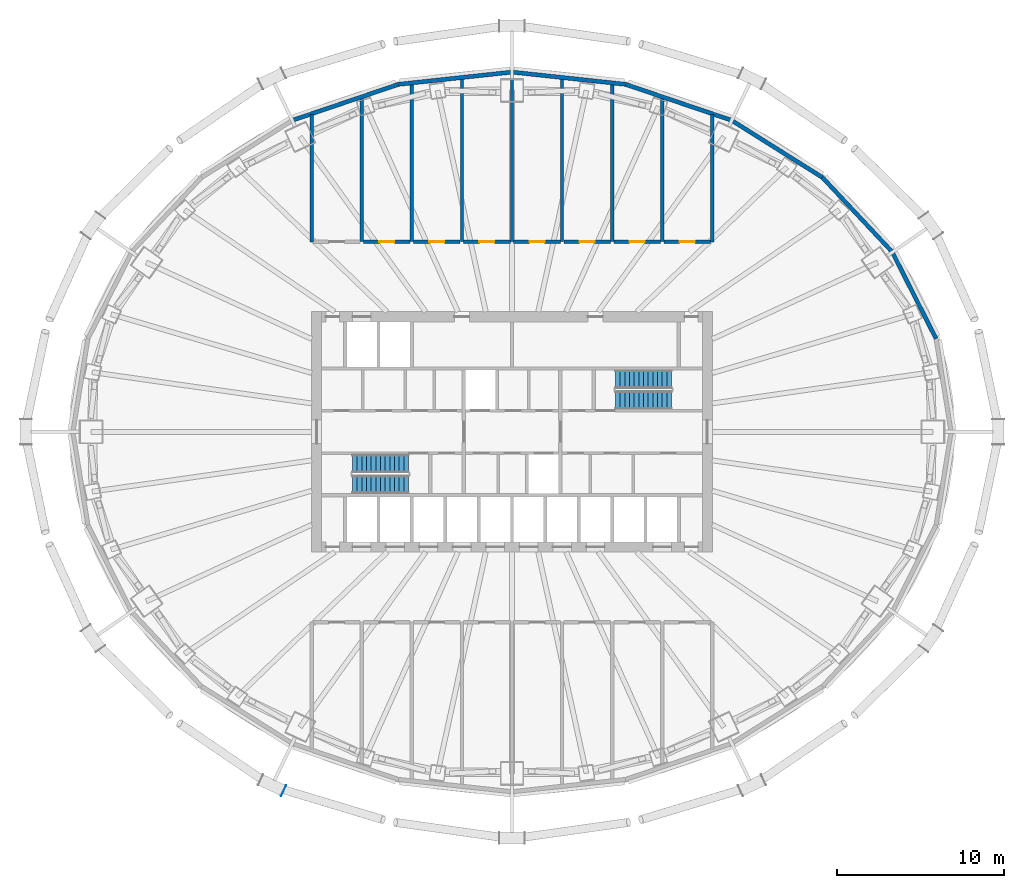
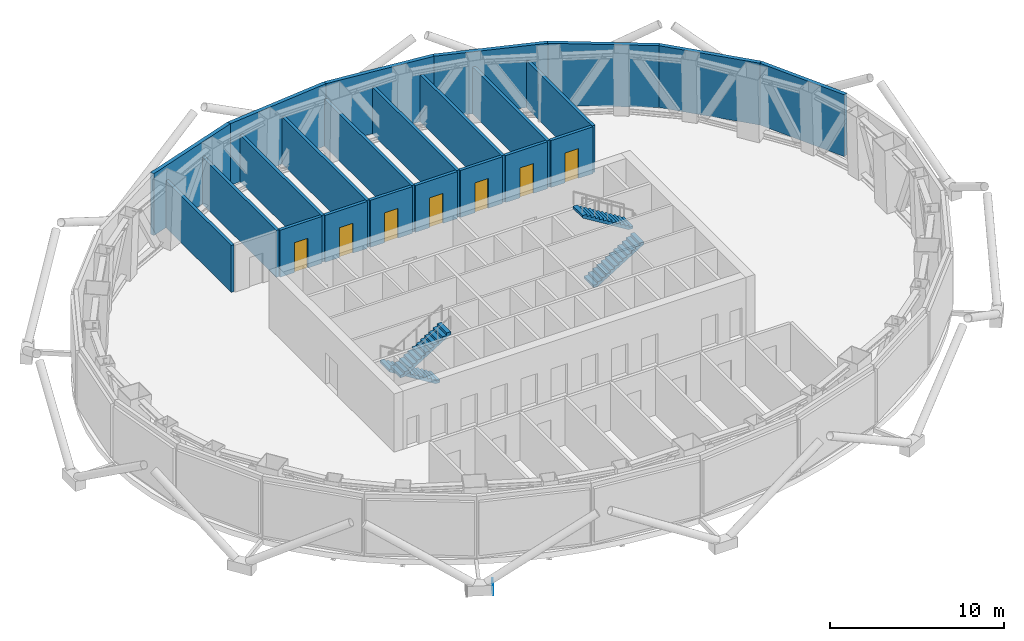
# One storey, part 8 of 18: 23 walls, 7 doors, 4 stair flights, 1 discrete accessory, 7 openings, 2 elements without a shape of their own.
"""IFC4 building model written with IfcOpenShell, lengths in metres."""

from ifc_helpers import new_model, si_unit, direction, frame, frame_2d, origin, origin_2d, place, context, subcontext, project, spatial, polyline, rectangle, outline, extrude, material, layer, layer_set, type_object, element, fill, aggregate, save


model = new_model("IFC4")

# Units and contexts
model_context = context("Model", 3, precision=1e-05, world=origin(), true_north=direction((0.0, 1.0)))
body_context = subcontext(model_context, "Body", "Model", "MODEL_VIEW")
ifc_project = project(units=[si_unit("LENGTHUNIT", "METRE"), si_unit("AREAUNIT", "SQUARE_METRE"), si_unit("VOLUMEUNIT", "CUBIC_METRE"), si_unit("PLANEANGLEUNIT", "RADIAN"), si_unit("MASSUNIT", "GRAM", prefix="KILO")], contexts=[model_context])

# Site, building, storey
site_placement = place(None, origin())
site = spatial("IfcSite", under=ifc_project, at=site_placement, CompositionType="ELEMENT")
building_placement = place(site_placement, origin())
building = spatial("IfcBuilding", under=site, at=building_placement, Name="Siaravel Broadcast Tower", CompositionType="ELEMENT")
storey_placement = place(building_placement, frame((0.0, 0.0, 92.60009765625)))
storey = spatial("IfcBuildingStorey", under=building, at=storey_placement, Name="L21", CompositionType="ELEMENT", Elevation=92.60009765625)

# Walls
ifc_material_1 = material(Name="Concrete blockwork", Category="masonry")
ifc_layer_1 = layer(ifc_material_1, 0.199951171875)
ifc_layer_set_1 = layer_set([ifc_layer_1], Name="Concrete blockwork")
wall_type_1 = type_object("IfcWallType", Name="Plant room wall 200", PredefinedType="PARTITIONING", material=ifc_layer_set_1)
wall_1_placement = place(storey_placement, frame((0.0, 11.39990234375, 0.0), z_axis=(0.0, 0.0, 1.0), x_axis=(0.0, 1.0, 0.0)))
element("IfcWall", 1, at=wall_1_placement, inside=storey, type_object=wall_type_1, Name="L21 partition 2", PredefinedType="PARTITIONING", context=body_context, shape_type="SweptSolid", body=[
    extrude(rectangle(XDim=10.109619140625, YDim=0.199951171875, at=frame_2d((5.0546875, 0.0))), origin(), (0.0, 0.0, 1.0), 3.2998046875),
])
for number, where, z_axis, x_axis, name in (
    (2, (-3.0, 11.39990234375, 0.0), (0.0, 0.0, 1.0), (0.0, 1.0, 0.0), "L21 partition 4"),
    (3, (3.0, 11.39990234375, 0.0), (0.0, 0.0, 1.0), (0.0, 1.0, 0.0), "L21 partition 6"),
):
    element("IfcWall", number, at=place(storey_placement, frame(where, z_axis=z_axis, x_axis=x_axis)), inside=storey, type_object=wall_type_1, Name=name, PredefinedType="PARTITIONING", context=body_context, shape_type="SweptSolid", body=[
        extrude(rectangle(XDim=9.785888671875, YDim=0.199951171875, at=frame_2d((4.89306640625, 0.0))), origin(), (0.0, 0.0, 1.0), 3.2998046875),
    ])
for number, where, z_axis, x_axis, name in (
    (4, (-6.0, 11.39990234375, 0.0), (0.0, 0.0, 1.0), (0.0, 1.0, 0.0), "L21 partition 8"),
    (5, (6.0, 11.39990234375, 0.0), (0.0, 0.0, 1.0), (0.0, 1.0, 0.0), "L21 partition 10"),
):
    element("IfcWall", number, at=place(storey_placement, frame(where, z_axis=z_axis, x_axis=x_axis)), inside=storey, type_object=wall_type_1, Name=name, PredefinedType="PARTITIONING", context=body_context, shape_type="SweptSolid", body=[
        extrude(rectangle(XDim=9.46240234375, YDim=0.199951171875, at=frame_2d((4.731201171875, 0.0))), origin(), (0.0, 0.0, 1.0), 3.2998046875),
    ])
for number, where, z_axis, x_axis, name in (
    (6, (-9.0, 11.39990234375, 0.0), (0.0, 0.0, 1.0), (0.0, 1.0, 0.0), "L21 partition 12"),
    (7, (9.0, 11.39990234375, 0.0), (0.0, 0.0, 1.0), (0.0, 1.0, 0.0), "L21 partition 14"),
):
    element("IfcWall", number, at=place(storey_placement, frame(where, z_axis=z_axis, x_axis=x_axis)), inside=storey, type_object=wall_type_1, Name=name, PredefinedType="PARTITIONING", context=body_context, shape_type="SweptSolid", body=[
        extrude(rectangle(XDim=8.63134765625, YDim=0.199951171875, at=frame_2d((4.315673828125, 0.0))), origin(), (0.0, 0.0, 1.0), 3.2998046875),
    ])
for number, where, z_axis, x_axis, name in (
    (8, (-12.0, 19.013427734375, 0.0), (0.0, 0.0, 1.0), (0.0, -1.0, 0.0), "L21 partition 16"),
    (9, (12.0, 11.387939453125, 0.0), (0.0, 0.0, 1.0), (0.0, 1.0, 0.0), "L21 partition 18"),
):
    element("IfcWall", number, at=place(storey_placement, frame(where, z_axis=z_axis, x_axis=x_axis)), inside=storey, type_object=wall_type_1, Name=name, PredefinedType="PARTITIONING", context=body_context, shape_type="SweptSolid", body=[
        extrude(rectangle(XDim=7.62548828125, YDim=0.199951171875, at=frame_2d((3.812744140625, 0.0))), origin(), (0.0, 0.0, 1.0), 3.2998046875),
    ])

# Wall, opening, door
wall_2_placement = place(storey_placement, frame((-6.10205078125, 11.39990234375, 0.0), z_axis=(0.0, 0.0, 1.0), x_axis=(-1.0, 0.0, 0.0)))
wall_2 = element("IfcWall", 10, at=wall_2_placement, inside=storey, type_object=wall_type_1, Name="L21 partition 23", PredefinedType="PARTITIONING", context=body_context, shape_type="SweptSolid", body=[
    extrude(rectangle(XDim=2.7958984375, YDim=0.199951171875, at=frame_2d((1.39794921875, 0.0))), origin(), (0.0, 0.0, 1.0), 3.2998046875),
])
opening_1_placement = place(wall_2_placement, frame((0.947998046875, 0.0, 0.0)))
opening_1 = element("IfcOpeningElement", 11, at=opening_1_placement, cuts=wall_2, Name="Opening L21-002", PredefinedType="OPENING", context=body_context, shape_type="SweptSolid", body=[
    extrude(rectangle(XDim=0.89990234375, YDim=2.10009765625, at=frame_2d((0.449951171875, 1.050048828125))), frame((0.0, 0.10986328125, 0.0), z_axis=(0.0, -1.0, 0.0), x_axis=(1.0, 0.0, 0.0)), (0.0, 0.0, 1.0), 0.219970703125),
])
ifc_material_2 = material(Name="Steel", Category="steel")
door_type = type_object("IfcDoorType", Name="Plant room door 900", OperationType="SINGLE_SWING_LEFT", PredefinedType="DOOR", material=ifc_material_2)
door_1_placement = place(opening_1_placement, origin())
door_1 = element("IfcDoor", 12, at=door_1_placement, inside=storey, type_object=door_type, Name="L21 door to Chilled water pump plant room", OperationType="SINGLE_SWING_RIGHT", OverallHeight=2.10009765625, OverallWidth=0.89990234375, PredefinedType="DOOR", context=body_context, shape_type="SweptSolid", body=[
    extrude(rectangle(XDim=0.89990234375, YDim=2.10009765625, at=frame_2d((0.449951171875, 1.050048828125))), frame((0.0, 0.02490234375, 0.0), z_axis=(0.0, -1.0, 0.0), x_axis=(1.0, 0.0, 0.0)), (0.0, 0.0, 1.0), 0.050048828125),
])
fill(opening_1, door_1)

wall_3_placement = place(storey_placement, frame((-3.10205078125, 11.39990234375, 0.0), z_axis=(0.0, 0.0, 1.0), x_axis=(-1.0, 0.0, 0.0)))
wall_3 = element("IfcWall", 13, at=wall_3_placement, inside=storey, type_object=wall_type_1, Name="L21 partition 25", PredefinedType="PARTITIONING", context=body_context, shape_type="SweptSolid", body=[
    extrude(rectangle(XDim=2.7958984375, YDim=0.199951171875, at=frame_2d((1.39794921875, 0.0))), origin(), (0.0, 0.0, 1.0), 3.2998046875),
])
opening_2_placement = place(wall_3_placement, frame((0.947998046875, 0.0, 0.0)))
opening_2 = element("IfcOpeningElement", 14, at=opening_2_placement, cuts=wall_3, Name="Opening L21-003", PredefinedType="OPENING", context=body_context, shape_type="SweptSolid", body=[
    extrude(rectangle(XDim=0.89990234375, YDim=2.10009765625, at=frame_2d((0.449951171875, 1.050048828125))), frame((0.0, 0.10986328125, 0.0), z_axis=(0.0, -1.0, 0.0), x_axis=(1.0, 0.0, 0.0)), (0.0, 0.0, 1.0), 0.219970703125),
])
door_2_placement = place(opening_2_placement, origin())
door_2 = element("IfcDoor", 15, at=door_2_placement, inside=storey, type_object=door_type, Name="L21 door to Air handling plant room", OperationType="SINGLE_SWING_LEFT", OverallHeight=2.10009765625, OverallWidth=0.89990234375, PredefinedType="DOOR", context=body_context, shape_type="SweptSolid", body=[
    extrude(rectangle(XDim=0.89990234375, YDim=2.10009765625, at=frame_2d((0.449951171875, 1.050048828125))), frame((0.0, 0.02490234375, 0.0), z_axis=(0.0, -1.0, 0.0), x_axis=(1.0, 0.0, 0.0)), (0.0, 0.0, 1.0), 0.050048828125),
])
fill(opening_2, door_2)

wall_4_placement = place(storey_placement, frame((-0.10205078125, 11.39990234375, 0.0), z_axis=(0.0, 0.0, 1.0), x_axis=(-1.0, 0.0, 0.0)))
wall_4 = element("IfcWall", 16, at=wall_4_placement, inside=storey, type_object=wall_type_1, Name="L21 partition 27", PredefinedType="PARTITIONING", context=body_context, shape_type="SweptSolid", body=[
    extrude(rectangle(XDim=2.7958984375, YDim=0.199951171875, at=frame_2d((1.39794921875, 0.0))), origin(), (0.0, 0.0, 1.0), 3.2998046875),
])
opening_3_placement = place(wall_4_placement, frame((0.947998046875, 0.0, 0.0)))
opening_3 = element("IfcOpeningElement", 17, at=opening_3_placement, cuts=wall_4, Name="Opening L21-004", PredefinedType="OPENING", context=body_context, shape_type="SweptSolid", body=[
    extrude(rectangle(XDim=0.89990234375, YDim=2.10009765625, at=frame_2d((0.449951171875, 1.050048828125))), frame((0.0, 0.10986328125, 0.0), z_axis=(0.0, -1.0, 0.0), x_axis=(1.0, 0.0, 0.0)), (0.0, 0.0, 1.0), 0.219970703125),
])
door_3_placement = place(opening_3_placement, origin())
door_3 = element("IfcDoor", 18, at=door_3_placement, inside=storey, type_object=door_type, Name="L21 door to Electrical plant room", OperationType="SINGLE_SWING_RIGHT", OverallHeight=2.10009765625, OverallWidth=0.89990234375, PredefinedType="DOOR", context=body_context, shape_type="SweptSolid", body=[
    extrude(rectangle(XDim=0.89990234375, YDim=2.10009765625, at=frame_2d((0.449951171875, 1.050048828125))), frame((0.0, 0.02490234375, 0.0), z_axis=(0.0, -1.0, 0.0), x_axis=(1.0, 0.0, 0.0)), (0.0, 0.0, 1.0), 0.050048828125),
])
fill(opening_3, door_3)

wall_5_placement = place(storey_placement, frame((2.89794921875, 11.39990234375, 0.0), z_axis=(0.0, 0.0, 1.0), x_axis=(-1.0, 0.0, 0.0)))
wall_5 = element("IfcWall", 19, at=wall_5_placement, inside=storey, type_object=wall_type_1, Name="L21 partition 29", PredefinedType="PARTITIONING", context=body_context, shape_type="SweptSolid", body=[
    extrude(rectangle(XDim=2.7958984375, YDim=0.199951171875, at=frame_2d((1.39794921875, 0.0))), origin(), (0.0, 0.0, 1.0), 3.2998046875),
])
opening_4_placement = place(wall_5_placement, frame((0.947998046875, 0.0, 0.0)))
opening_4 = element("IfcOpeningElement", 20, at=opening_4_placement, cuts=wall_5, Name="Opening L21-005", PredefinedType="OPENING", context=body_context, shape_type="SweptSolid", body=[
    extrude(rectangle(XDim=0.89990234375, YDim=2.10009765625, at=frame_2d((0.449951171875, 1.050048828125))), frame((0.0, 0.10986328125, 0.0), z_axis=(0.0, -1.0, 0.0), x_axis=(1.0, 0.0, 0.0)), (0.0, 0.0, 1.0), 0.219970703125),
])
door_4_placement = place(opening_4_placement, origin())
door_4 = element("IfcDoor", 21, at=door_4_placement, inside=storey, type_object=door_type, Name="L21 door to Transformer room", OperationType="SINGLE_SWING_LEFT", OverallHeight=2.10009765625, OverallWidth=0.89990234375, PredefinedType="DOOR", context=body_context, shape_type="SweptSolid", body=[
    extrude(rectangle(XDim=0.89990234375, YDim=2.10009765625, at=frame_2d((0.449951171875, 1.050048828125))), frame((0.0, 0.02490234375, 0.0), z_axis=(0.0, -1.0, 0.0), x_axis=(1.0, 0.0, 0.0)), (0.0, 0.0, 1.0), 0.050048828125),
])
fill(opening_4, door_4)

wall_6_placement = place(storey_placement, frame((5.89794921875, 11.39990234375, 0.0), z_axis=(0.0, 0.0, 1.0), x_axis=(-1.0, 0.0, 0.0)))
wall_6 = element("IfcWall", 22, at=wall_6_placement, inside=storey, type_object=wall_type_1, Name="L21 partition 31", PredefinedType="PARTITIONING", context=body_context, shape_type="SweptSolid", body=[
    extrude(rectangle(XDim=2.7958984375, YDim=0.199951171875, at=frame_2d((1.39794921875, 0.0))), origin(), (0.0, 0.0, 1.0), 3.2998046875),
])
opening_5_placement = place(wall_6_placement, frame((0.947998046875, 0.0, 0.0)))
opening_5 = element("IfcOpeningElement", 23, at=opening_5_placement, cuts=wall_6, Name="Opening L21-006", PredefinedType="OPENING", context=body_context, shape_type="SweptSolid", body=[
    extrude(rectangle(XDim=0.89990234375, YDim=2.10009765625, at=frame_2d((0.449951171875, 1.050048828125))), frame((0.0, 0.10986328125, 0.0), z_axis=(0.0, -1.0, 0.0), x_axis=(1.0, 0.0, 0.0)), (0.0, 0.0, 1.0), 0.219970703125),
])
door_5_placement = place(opening_5_placement, origin())
door_5 = element("IfcDoor", 24, at=door_5_placement, inside=storey, type_object=door_type, Name="L21 door to Switch room", OperationType="SINGLE_SWING_RIGHT", OverallHeight=2.10009765625, OverallWidth=0.89990234375, PredefinedType="DOOR", context=body_context, shape_type="SweptSolid", body=[
    extrude(rectangle(XDim=0.89990234375, YDim=2.10009765625, at=frame_2d((0.449951171875, 1.050048828125))), frame((0.0, 0.02490234375, 0.0), z_axis=(0.0, -1.0, 0.0), x_axis=(1.0, 0.0, 0.0)), (0.0, 0.0, 1.0), 0.050048828125),
])
fill(opening_5, door_5)

wall_7_placement = place(storey_placement, frame((8.89794921875, 11.39990234375, 0.0), z_axis=(0.0, 0.0, 1.0), x_axis=(-1.0, 0.0, 0.0)))
wall_7 = element("IfcWall", 25, at=wall_7_placement, inside=storey, type_object=wall_type_1, Name="L21 partition 33", PredefinedType="PARTITIONING", context=body_context, shape_type="SweptSolid", body=[
    extrude(rectangle(XDim=2.7958984375, YDim=0.199951171875, at=frame_2d((1.39794921875, 0.0))), origin(), (0.0, 0.0, 1.0), 3.2998046875),
])
opening_6_placement = place(wall_7_placement, frame((0.947998046875, 0.0, 0.0)))
opening_6 = element("IfcOpeningElement", 26, at=opening_6_placement, cuts=wall_7, Name="Opening L21-007", PredefinedType="OPENING", context=body_context, shape_type="SweptSolid", body=[
    extrude(rectangle(XDim=0.89990234375, YDim=2.10009765625, at=frame_2d((0.449951171875, 1.050048828125))), frame((0.0, 0.10986328125, 0.0), z_axis=(0.0, -1.0, 0.0), x_axis=(1.0, 0.0, 0.0)), (0.0, 0.0, 1.0), 0.219970703125),
])
door_6_placement = place(opening_6_placement, origin())
door_6 = element("IfcDoor", 27, at=door_6_placement, inside=storey, type_object=door_type, Name="L21 door to Generator plant room", OperationType="SINGLE_SWING_LEFT", OverallHeight=2.10009765625, OverallWidth=0.89990234375, PredefinedType="DOOR", context=body_context, shape_type="SweptSolid", body=[
    extrude(rectangle(XDim=0.89990234375, YDim=2.10009765625, at=frame_2d((0.449951171875, 1.050048828125))), frame((0.0, 0.02490234375, 0.0), z_axis=(0.0, -1.0, 0.0), x_axis=(1.0, 0.0, 0.0)), (0.0, 0.0, 1.0), 0.050048828125),
])
fill(opening_6, door_6)

wall_8_placement = place(storey_placement, frame((11.89794921875, 11.39990234375, 0.0), z_axis=(0.0, 0.0, 1.0), x_axis=(-1.0, 0.0, 0.0)))
wall_8 = element("IfcWall", 28, at=wall_8_placement, inside=storey, type_object=wall_type_1, Name="L21 partition 34", PredefinedType="PARTITIONING", context=body_context, shape_type="SweptSolid", body=[
    extrude(rectangle(XDim=2.7958984375, YDim=0.199951171875, at=frame_2d((1.39794921875, 0.0))), origin(), (0.0, 0.0, 1.0), 3.2998046875),
])
opening_7_placement = place(wall_8_placement, frame((0.947998046875, 0.0, 0.0)))
opening_7 = element("IfcOpeningElement", 29, at=opening_7_placement, cuts=wall_8, Name="Opening L21-008", PredefinedType="OPENING", context=body_context, shape_type="SweptSolid", body=[
    extrude(rectangle(XDim=0.89990234375, YDim=2.10009765625, at=frame_2d((0.449951171875, 1.050048828125))), frame((0.0, 0.10986328125, 0.0), z_axis=(0.0, -1.0, 0.0), x_axis=(1.0, 0.0, 0.0)), (0.0, 0.0, 1.0), 0.219970703125),
])
door_7_placement = place(opening_7_placement, origin())
door_7 = element("IfcDoor", 30, at=door_7_placement, inside=storey, type_object=door_type, Name="L21 door to Mechanical plant room", OperationType="SINGLE_SWING_RIGHT", OverallHeight=2.10009765625, OverallWidth=0.89990234375, PredefinedType="DOOR", context=body_context, shape_type="SweptSolid", body=[
    extrude(rectangle(XDim=0.89990234375, YDim=2.10009765625, at=frame_2d((0.449951171875, 1.050048828125))), frame((0.0, 0.02490234375, 0.0), z_axis=(0.0, -1.0, 0.0), x_axis=(1.0, 0.0, 0.0)), (0.0, 0.0, 1.0), 0.050048828125),
])
fill(opening_7, door_7)

# Walls
ifc_material_3 = material(Name="Concrete C40/50", Category="concrete")
ifc_layer_2 = layer(ifc_material_3, 0.25)
ifc_layer_set_2 = layer_set([ifc_layer_2], Name="Concrete C40/50")
wall_type_2 = type_object("IfcWallType", Name="Plant storey wall", PredefinedType="STANDARD", material=ifc_layer_set_2)
wall_9_placement = place(storey_placement, frame((25.412109375, 5.58251953125, 0.0), z_axis=(0.0, 0.0, 1.0), x_axis=(-0.451247307, 0.89239894, 0.0)))
element("IfcWall", 31, at=wall_9_placement, inside=storey, type_object=wall_type_2, Name="L21 plant storey wall 02", PredefinedType="STANDARD", context=body_context, shape_type="SweptSolid", body=[
    extrude(rectangle(XDim=5.828125, YDim=0.25, at=frame_2d((2.9140625, 0.0))), origin(), (0.0, 0.0, 1.0), 4.349853515625),
])
wall_10_placement = place(storey_placement, frame((22.7822265625, 10.783447265625, 0.0), z_axis=(0.0, 0.0, 1.0), x_axis=(-0.683663632, 0.729797258, 0.0)))
element("IfcWall", 32, at=wall_10_placement, inside=storey, type_object=wall_type_2, Name="L21 plant storey wall 03", PredefinedType="STANDARD", context=body_context, shape_type="SweptSolid", body=[
    extrude(rectangle(XDim=6.11767578125, YDim=0.25, at=frame_2d((3.058837890625, 0.0))), origin(), (0.0, 0.0, 1.0), 4.349853515625),
])
wall_11_placement = place(storey_placement, frame((18.599853515625, 15.248046875, 0.0), z_axis=(0.0, 0.0, 1.0), x_axis=(-0.846644363, 0.532159115, 0.0)))
element("IfcWall", 33, at=wall_11_placement, inside=storey, type_object=wall_type_2, Name="L21 plant storey wall 04", PredefinedType="STANDARD", context=body_context, shape_type="SweptSolid", body=[
    extrude(rectangle(XDim=6.435791015625, YDim=0.25, at=frame_2d((3.2177734375, 0.0))), origin(), (0.0, 0.0, 1.0), 4.349853515625),
])
wall_12_placement = place(storey_placement, frame((13.151123046875, 18.6728515625, 0.0), z_axis=(0.0, 0.0, 1.0), x_axis=(-0.946982462, 0.321285256, 0.0)))
element("IfcWall", 34, at=wall_12_placement, inside=storey, type_object=wall_type_2, Name="L21 plant storey wall 05", PredefinedType="STANDARD", context=body_context, shape_type="SweptSolid", body=[
    extrude(rectangle(XDim=6.69921875, YDim=0.25, at=frame_2d((3.349609375, 0.0))), origin(), (0.0, 0.0, 1.0), 4.349853515625),
])
for number, where, z_axis, x_axis, name in (
    (35, (6.80712890625, 20.8251953125, 0.0), (0.0, 0.0, 1.0), (-0.994234718, 0.107225586, 0.0), "L21 plant storey wall 06"),
    (36, (0.0, 21.559326171875, 0.0), (0.0, 0.0, 1.0), (-0.994234718, -0.107225586, 0.0), "L21 plant storey wall 07"),
):
    element("IfcWall", number, at=place(storey_placement, frame(where, z_axis=z_axis, x_axis=x_axis)), inside=storey, type_object=wall_type_2, Name=name, PredefinedType="STANDARD", context=body_context, shape_type="SweptSolid", body=[
        extrude(rectangle(XDim=6.8466796875, YDim=0.25, at=frame_2d((3.42333984375, 0.0))), origin(), (0.0, 0.0, 1.0), 4.349853515625),
    ])
wall_13_placement = place(storey_placement, frame((-6.80712890625, 20.8251953125, 0.0), z_axis=(0.0, 0.0, 1.0), x_axis=(-0.946982462, -0.321285256, 0.0)))
element("IfcWall", 37, at=wall_13_placement, inside=storey, type_object=wall_type_2, Name="L21 plant storey wall 08", PredefinedType="STANDARD", context=body_context, shape_type="SweptSolid", body=[
    extrude(rectangle(XDim=6.69921875, YDim=0.25, at=frame_2d((3.349609375, 0.0))), origin(), (0.0, 0.0, 1.0), 4.349853515625),
])

# Stair, stair flights
stair_type = type_object("IfcStairType", Name="Core exit stair", PredefinedType="HALF_TURN_STAIR", material=ifc_material_3)
stair_1_placement = place(storey_placement, origin())
stair_1 = element("IfcStair", 38, at=stair_1_placement, inside=storey, type_object=stair_type, Name="L21 Exit stair ST-1", PredefinedType="HALF_TURN_STAIR")
stair_flight_type = type_object("IfcStairFlightType", Name="Stair flight 1100", PredefinedType="STRAIGHT", material=ifc_material_3)
stair_flight_1_placement = place(storey_placement, frame((-6.199951171875, -1.89990234375, 0.0), z_axis=(0.0, 0.0, 1.0), x_axis=(-1.0, 0.0, 0.0)))
stair_flight_1 = element("IfcStairFlight", 39, at=stair_flight_1_placement, type_object=stair_flight_type, Name="ST-1 flight 1", NumberOfRisers=13, NumberOfTreads=12, PredefinedType="STRAIGHT", RiserHeight=0.1730769, TreadLength=0.28, context=body_context, shape_type="SweptSolid", body=[
    extrude(outline(polyline([(0.0, 0.0), (0.0, 0.173095703125), (0.280029296875, 0.173095703125), (0.280029296875, 0.34619140625), (0.56005859375, 0.34619140625), (0.56005859375, 0.519287109375), (0.840087890625, 0.519287109375), (0.840087890625, 0.6923828125), (1.1201171875, 0.6923828125), (1.1201171875, 0.865478515625), (1.39990234375, 0.865478515625), (1.39990234375, 1.03857421875), (1.679931640625, 1.03857421875), (1.679931640625, 1.21142578125), (1.9599609375, 1.21142578125), (1.9599609375, 1.384521484375), (2.239990234375, 1.384521484375), (2.239990234375, 1.5576171875), (2.52001953125, 1.5576171875), (2.52001953125, 1.730712890625), (2.800048828125, 1.730712890625), (2.800048828125, 1.90380859375), (3.080078125, 1.90380859375), (3.080078125, 2.076904296875), (3.360107421875, 2.076904296875), (3.360107421875, 2.25), (3.360107421875, 1.900634765625), (0.28515625, 0.0), (0.0, 0.0)])), frame((0.0, 0.550048828125, 0.0), z_axis=(0.0, -1.0, 0.0), x_axis=(1.0, 0.0, 0.0)), (0.0, 0.0, 1.0), 1.10009765625),
])
stair_flight_2_placement = place(storey_placement, frame((-9.56005859375, -3.14990234375, 2.25), z_axis=(0.0, 0.0, 1.0), x_axis=(1.0, 0.0, 0.0)))
stair_flight_2 = element("IfcStairFlight", 40, at=stair_flight_2_placement, type_object=stair_flight_type, Name="ST-1 flight 2", NumberOfRisers=13, NumberOfTreads=12, PredefinedType="STRAIGHT", RiserHeight=0.1730769, TreadLength=0.28, context=body_context, shape_type="SweptSolid", body=[
    extrude(outline(polyline([(0.0, 0.0), (0.0, 0.173095703125), (0.280029296875, 0.173095703125), (0.280029296875, 0.34619140625), (0.56005859375, 0.34619140625), (0.56005859375, 0.519287109375), (0.840087890625, 0.519287109375), (0.840087890625, 0.6923828125), (1.1201171875, 0.6923828125), (1.1201171875, 0.865478515625), (1.39990234375, 0.865478515625), (1.39990234375, 1.03857421875), (1.679931640625, 1.03857421875), (1.679931640625, 1.21142578125), (1.9599609375, 1.21142578125), (1.9599609375, 1.384521484375), (2.239990234375, 1.384521484375), (2.239990234375, 1.5576171875), (2.52001953125, 1.5576171875), (2.52001953125, 1.730712890625), (2.800048828125, 1.730712890625), (2.800048828125, 1.90380859375), (3.080078125, 1.90380859375), (3.080078125, 2.076904296875), (3.360107421875, 2.076904296875), (3.360107421875, 2.25), (3.360107421875, 1.900634765625), (0.28515625, 0.0), (0.0, 0.0)])), frame((0.0, 0.550048828125, 0.0), z_axis=(0.0, -1.0, 0.0), x_axis=(1.0, 0.0, 0.0)), (0.0, 0.0, 1.0), 1.10009765625),
])
aggregate(stair_1, [stair_flight_1, stair_flight_2])

stair_2_placement = place(storey_placement, origin())
stair_2 = element("IfcStair", 41, at=stair_2_placement, inside=storey, type_object=stair_type, Name="L21 Exit stair ST-2", PredefinedType="HALF_TURN_STAIR")
stair_flight_3_placement = place(storey_placement, frame((6.199951171875, 1.89990234375, 0.0), z_axis=(0.0, 0.0, 1.0), x_axis=(1.0, 0.0, 0.0)))
stair_flight_3 = element("IfcStairFlight", 42, at=stair_flight_3_placement, type_object=stair_flight_type, Name="ST-2 flight 1", NumberOfRisers=13, NumberOfTreads=12, PredefinedType="STRAIGHT", RiserHeight=0.1730769, TreadLength=0.28, context=body_context, shape_type="SweptSolid", body=[
    extrude(outline(polyline([(0.0, 0.0), (0.0, 0.173095703125), (0.280029296875, 0.173095703125), (0.280029296875, 0.34619140625), (0.56005859375, 0.34619140625), (0.56005859375, 0.519287109375), (0.840087890625, 0.519287109375), (0.840087890625, 0.6923828125), (1.1201171875, 0.6923828125), (1.1201171875, 0.865478515625), (1.39990234375, 0.865478515625), (1.39990234375, 1.03857421875), (1.679931640625, 1.03857421875), (1.679931640625, 1.21142578125), (1.9599609375, 1.21142578125), (1.9599609375, 1.384521484375), (2.239990234375, 1.384521484375), (2.239990234375, 1.5576171875), (2.52001953125, 1.5576171875), (2.52001953125, 1.730712890625), (2.800048828125, 1.730712890625), (2.800048828125, 1.90380859375), (3.080078125, 1.90380859375), (3.080078125, 2.076904296875), (3.360107421875, 2.076904296875), (3.360107421875, 2.25), (3.360107421875, 1.900634765625), (0.28515625, 0.0), (0.0, 0.0)])), frame((0.0, 0.550048828125, 0.0), z_axis=(0.0, -1.0, 0.0), x_axis=(1.0, 0.0, 0.0)), (0.0, 0.0, 1.0), 1.10009765625),
])
stair_flight_4_placement = place(storey_placement, frame((9.56005859375, 3.14990234375, 2.25), z_axis=(0.0, 0.0, 1.0), x_axis=(-1.0, 0.0, 0.0)))
stair_flight_4 = element("IfcStairFlight", 43, at=stair_flight_4_placement, type_object=stair_flight_type, Name="ST-2 flight 2", NumberOfRisers=13, NumberOfTreads=12, PredefinedType="STRAIGHT", RiserHeight=0.1730769, TreadLength=0.28, context=body_context, shape_type="SweptSolid", body=[
    extrude(outline(polyline([(0.0, 0.0), (0.0, 0.173095703125), (0.280029296875, 0.173095703125), (0.280029296875, 0.34619140625), (0.56005859375, 0.34619140625), (0.56005859375, 0.519287109375), (0.840087890625, 0.519287109375), (0.840087890625, 0.6923828125), (1.1201171875, 0.6923828125), (1.1201171875, 0.865478515625), (1.39990234375, 0.865478515625), (1.39990234375, 1.03857421875), (1.679931640625, 1.03857421875), (1.679931640625, 1.21142578125), (1.9599609375, 1.21142578125), (1.9599609375, 1.384521484375), (2.239990234375, 1.384521484375), (2.239990234375, 1.5576171875), (2.52001953125, 1.5576171875), (2.52001953125, 1.730712890625), (2.800048828125, 1.730712890625), (2.800048828125, 1.90380859375), (3.080078125, 1.90380859375), (3.080078125, 2.076904296875), (3.360107421875, 2.076904296875), (3.360107421875, 2.25), (3.360107421875, 1.900634765625), (0.28515625, 0.0), (0.0, 0.0)])), frame((0.0, 0.550048828125, 0.0), z_axis=(0.0, -1.0, 0.0), x_axis=(1.0, 0.0, 0.0)), (0.0, 0.0, 1.0), 1.10009765625),
])
aggregate(stair_2, [stair_flight_3, stair_flight_4])

# Discrete accessory
ifc_material_4 = material(Name="Steel S355", Category="steel")
ifc_layer_3 = layer(ifc_material_4, 0.02001953125)
ifc_layer_set_3 = layer_set([ifc_layer_3], Name="Steel S355")
discrete_accessory_type = type_object("IfcDiscreteAccessoryType", Name="Steel end plate 20 mm", PredefinedType="USERDEFINED", material=ifc_layer_set_3)
discrete_accessory_placement = place(storey_placement, frame((-13.68603515625, -21.49609375, -0.55029296875), z_axis=(0.0, 0.0, 1.0), x_axis=(0.904006456, -0.427518805, 0.0)))
element("IfcDiscreteAccessory", 44, at=discrete_accessory_placement, inside=storey, type_object=discrete_accessory_type, Name="End plate R09 station 48A", ObjectType="END PLATE", PredefinedType="USERDEFINED", context=body_context, shape_type="SweptSolid", body=[
    extrude(rectangle(XDim=0.02001953125, YDim=0.699951171875, at=origin_2d()), origin(), (0.0, 0.0, 1.0), 0.699951171875),
])

save(model, "model.ifc")
